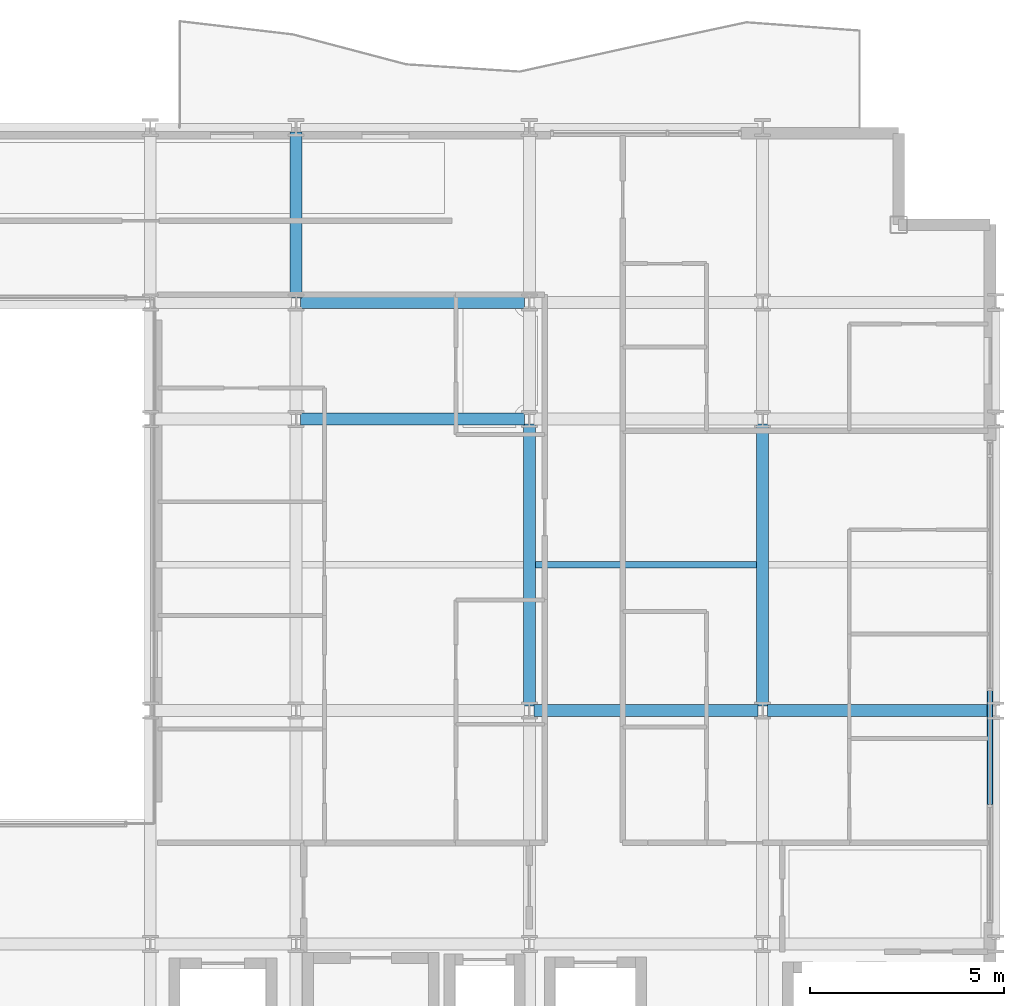
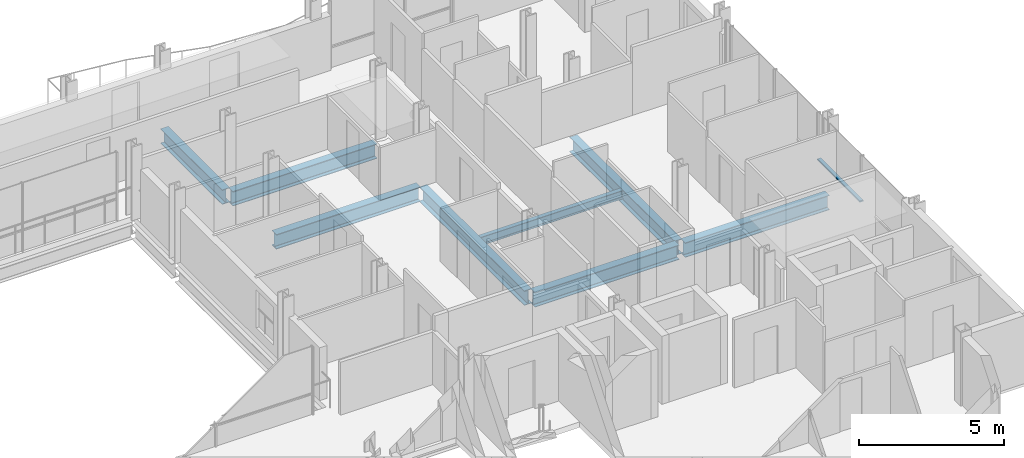
# One storey, part 18 of 41: 8 beams, 1 member, 1 element without a shape of its own.
"""IFC4 building model written with IfcOpenShell, lengths in metres."""

from ifc_helpers import new_model, si_unit, direction, frame, origin, origin_2d, place, context, subcontext, project, spatial, hollow_rectangle, i_section, extrude, material, layer, layer_set, material_profile, profile_set, type_object, element, aggregate, save


model = new_model("IFC4")

# Units and contexts
model_context = context("Model", 3, precision=1e-05, world=origin(), true_north=direction((0.0, 1.0)))
body_context = subcontext(model_context, "Body", "Model", "MODEL_VIEW")
ifc_project = project(units=[si_unit("LENGTHUNIT", "METRE"), si_unit("AREAUNIT", "SQUARE_METRE"), si_unit("VOLUMEUNIT", "CUBIC_METRE"), si_unit("PLANEANGLEUNIT", "RADIAN"), si_unit("MASSUNIT", "GRAM", prefix="KILO")], contexts=[model_context])

# Site, building, storey
site_placement = place(None, origin())
site = spatial("IfcSite", under=ifc_project, at=site_placement, CompositionType="ELEMENT")
building_placement = place(site_placement, origin())
building = spatial("IfcBuilding", under=site, at=building_placement, Name="Brevholm Reach", CompositionType="ELEMENT")
storey_placement = place(building_placement, frame((0.0, 0.0, 74.5)))
storey = spatial("IfcBuildingStorey", under=building, at=storey_placement, Name="L21", CompositionType="ELEMENT", Elevation=74.5)

# Beams
ifc_material_1 = material(Name="Structural Steel S355J2", Category="steel")
ifc_material_profile_1 = material_profile(ifc_material_1, i_section(OverallWidth=0.17138671875, OverallDepth=0.35498046875, WebThickness=0.00732421875, FlangeThickness=0.011474609375, FilletRadius=0.01025390625, at=origin_2d()), Name="UKB 356x171x51")
ifc_profile_set_1 = profile_set([ifc_material_profile_1], Name="Structural Steel S355J2")
beam_type_1 = type_object("IfcBeamType", Name="BM-B356", PredefinedType="BEAM", material=ifc_profile_set_1)
beam_1_placement = place(storey_placement, frame((48.153564453125, 19.75, -0.407470703125), z_axis=(1.0, 0.0, 0.0), x_axis=(0.0, 1.0, 0.0)))
element("IfcBeam", 1, at=beam_1_placement, inside=storey, type_object=beam_type_1, Name="L21 Composite Secondary Floor Beam", PredefinedType="BEAM", context=body_context, shape_type="SweptSolid", body=[
    extrude(i_section(OverallWidth=0.17138671875, OverallDepth=0.35498046875, WebThickness=0.00732421875, FlangeThickness=0.011474609375, FilletRadius=0.01025390625, at=origin_2d()), origin(), (0.0, 0.0, 1.0), 5.69287109375),
])
ifc_material_2 = material(Name="Structural Steel S355J2", Category="steel")
ifc_material_profile_2 = material_profile(ifc_material_2, i_section(OverallWidth=0.30712890625, OverallDepth=0.6201171875, WebThickness=0.01416015625, FlangeThickness=0.023681640625, FilletRadius=0.0166015625, at=origin_2d()), Name="UKB 610x305x179")
ifc_profile_set_2 = profile_set([ifc_material_profile_2], Name="Structural Steel S355J2")
beam_type_2 = type_object("IfcBeamType", Name="BM-UKB610H", PredefinedType="USERDEFINED", material=ifc_profile_set_2)
for number, where, z_axis, x_axis, name in (
    (2, (48.1201171875, 16.0, -0.5400390625), (1.0, 0.0, 0.0), (0.0, 1.0, 0.0), "L21 G-06 Framing Beam"),
    (3, (54.1201171875, 16.0, -0.5400390625), (1.0, 0.0, 0.0), (0.0, 1.0, 0.0), "L21 G-06 Framing Beam"),
    (4, (42.1201171875, 23.5, -0.5400390625), (1.0, 0.0, 0.0), (0.0, 1.0, 0.0), "L21 G-06 Framing Beam"),
    (5, (42.1201171875, 26.5, -0.5400390625), (1.0, 0.0, 0.0), (0.0, 1.0, 0.0), "L21 G-06 Framing Beam"),
):
    element("IfcBeam", number, at=place(storey_placement, frame(where, z_axis=z_axis, x_axis=x_axis)), inside=storey, type_object=beam_type_2, Name=name, ObjectType="GIRDER", PredefinedType="USERDEFINED", context=body_context, shape_type="SweptSolid", body=[
        extrude(i_section(OverallWidth=0.30712890625, OverallDepth=0.6201171875, WebThickness=0.01416015625, FlangeThickness=0.023681640625, FilletRadius=0.0166015625, at=origin_2d()), origin(), (0.0, 0.0, 1.0), 5.759765625),
    ])
beam_2_placement = place(storey_placement, frame((42.0, 26.6201171875, -0.5400390625), z_axis=(0.0, 1.0, 0.0), x_axis=(-1.0, 0.0, 0.0)))
element("IfcBeam", 6, at=beam_2_placement, inside=storey, type_object=beam_type_2, Name="L21 G-06 Framing Beam", ObjectType="GIRDER", PredefinedType="USERDEFINED", context=body_context, shape_type="SweptSolid", body=[
    extrude(i_section(OverallWidth=0.30712890625, OverallDepth=0.6201171875, WebThickness=0.01416015625, FlangeThickness=0.023681640625, FilletRadius=0.0166015625, at=origin_2d()), origin(), (0.0, 0.0, 1.0), 4.259765625),
])
for number, where, z_axis, x_axis, name in (
    (7, (48.0, 16.1201171875, -0.5400390625), (0.0, 1.0, 0.0), (-1.0, 0.0, 0.0), "L21 G-06 Framing Beam"),
    (8, (54.0, 16.1201171875, -0.5400390625), (0.0, 1.0, 0.0), (-1.0, 0.0, 0.0), "L21 G-06 Framing Beam"),
):
    element("IfcBeam", number, at=place(storey_placement, frame(where, z_axis=z_axis, x_axis=x_axis)), inside=storey, type_object=beam_type_2, Name=name, ObjectType="GIRDER", PredefinedType="USERDEFINED", context=body_context, shape_type="SweptSolid", body=[
        extrude(i_section(OverallWidth=0.30712890625, OverallDepth=0.6201171875, WebThickness=0.01416015625, FlangeThickness=0.023681640625, FilletRadius=0.0166015625, at=origin_2d()), origin(), (0.0, 0.0, 1.0), 7.259765625),
    ])

# Curtain wall, member
ifc_material_3 = material(Name="Dark Anodised Aluminium 6063-T6 and Solar-Control Glass", Category="aluminium")
ifc_layer = layer(ifc_material_3, 0.14990234375)
ifc_layer_set = layer_set([ifc_layer], Name="Dark Anodised Aluminium 6063-T6 and Solar-Control Glass")
curtain_wall_type = type_object("IfcCurtainWallType", Name="CW-01", PredefinedType="NOTDEFINED", material=ifc_layer_set)
curtain_wall_placement = place(storey_placement, origin())
curtain_wall = element("IfcCurtainWall", 9, at=curtain_wall_placement, inside=storey, type_object=curtain_wall_type, Name="L21 Curtain Wall CW-01", PredefinedType="NOTDEFINED")
ifc_material_4 = material(Name="Dark Anodised Aluminium 6063-T6", Category="aluminium")
ifc_material_profile_3 = material_profile(ifc_material_4, hollow_rectangle(XDim=0.06494140625, YDim=0.14990234375, WallThickness=0.0048828125, InnerFilletRadius=0.0048828125, OuterFilletRadius=0.010009765625, at=origin_2d()), Name="RHS 150x65x5")
ifc_profile_set_3 = profile_set([ifc_material_profile_3], Name="Dark Anodised Aluminium 6063-T6")
member_type = type_object("IfcMemberType", Name="CWT-150", PredefinedType="NOTDEFINED", material=ifc_profile_set_3)
member_placement = place(storey_placement, frame((59.85009765625, 13.58251953125, 0.89990234375), z_axis=(0.0, 1.0, 0.0), x_axis=(0.0, 0.0, 1.0)))
member = element("IfcMember", 10, at=member_placement, type_object=member_type, Name="CT-150 Transom 2.1", ObjectType="TRANSOM", PredefinedType="USERDEFINED", context=body_context, shape_type="SweptSolid", body=[
    extrude(hollow_rectangle(XDim=0.06494140625, YDim=0.14990234375, WallThickness=0.0048828125, InnerFilletRadius=0.0048828125, OuterFilletRadius=0.010009765625, at=origin_2d()), origin(), (0.0, 0.0, 1.0), 2.93505859375),
])
aggregate(curtain_wall, [member])

save(model, "model.ifc")
